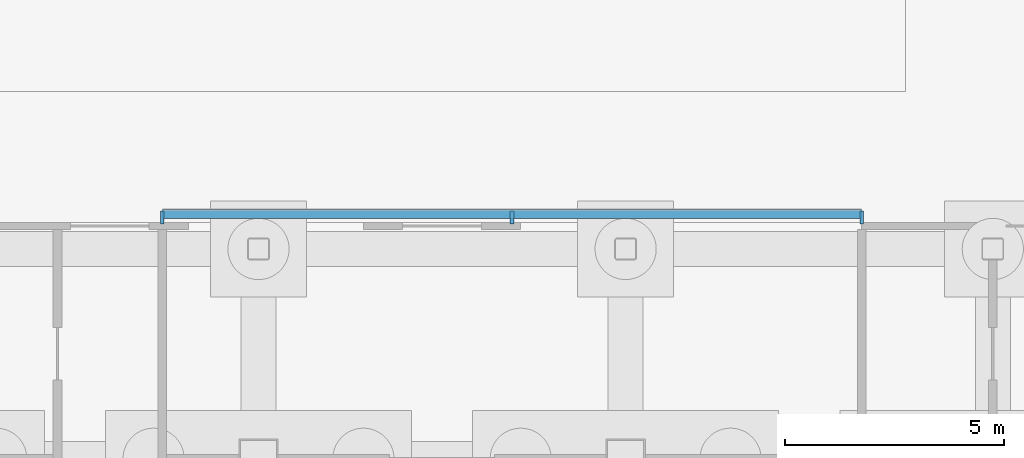
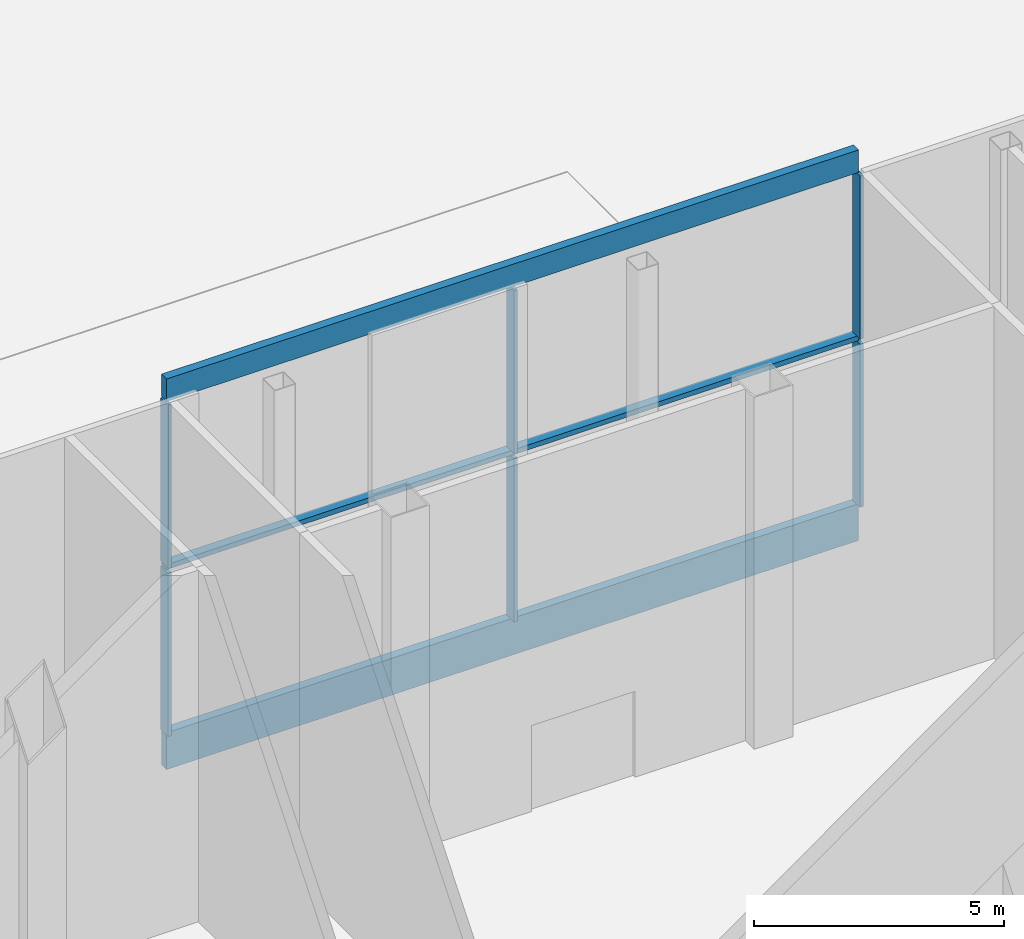
# One storey, part 22 of 113: 9 members, 1 element without a shape of its own.
"""IFC4 building model written with IfcOpenShell, lengths in metres."""

import ifcopenshell
import ifcopenshell.guid

model = None  # the IFC model being written
_history = None  # IfcOwnerHistory: only IFC2X3 demands one
_inside = {}  # id of a spatial element -> (the spatial element, [elements in it])
_under = {}  # id of a project, library or spatial element -> (it, [spatial elements below it])
_declared = {}  # id of a project -> (the project, [libraries it declares])
_typed = {}  # id of a type object -> (the type object, [elements of that type])
_made_of = {}  # id of a material, layer set ... -> (it, [elements and type objects made of it])


def new_model(schema):
    """Start an empty IFC model of exactly this schema.

    Asked for "IFC4X3", IfcOpenShell would pick the latest addendum, in which some entities
    have other attributes; the version numbers below select the first issue.
    IFC2X3 requires an IfcOwnerHistory on every rooted entity: one is made here for all.
    """
    global model, _history
    if schema == "IFC4X3":
        model = ifcopenshell.file(schema_version=(4, 3, 0, 0))
    else:
        model = ifcopenshell.file(schema=schema)
    _inside.clear()
    _under.clear()
    _declared.clear()
    _typed.clear()
    _made_of.clear()
    _history = None
    if model.schema == "IFC2X3":
        org = make("IfcOrganization", Name="unknown")
        user = make(
            "IfcPersonAndOrganization",
            ThePerson=make("IfcPerson", FamilyName="unknown"),
            TheOrganization=org,
        )
        app = make(
            "IfcApplication",
            ApplicationDeveloper=org,
            Version="unknown",
            ApplicationFullName="unknown",
            ApplicationIdentifier="unknown",
        )
        _history = make(
            "IfcOwnerHistory",
            OwningUser=user,
            OwningApplication=app,
            ChangeAction="ADDED",
            CreationDate=0,
        )
    return model


def make(cls, **values):
    """One entity of the class cls with the attributes given. An attribute that is None is left unset."""
    return model.create_entity(
        cls, **{name: value for name, value in values.items() if value is not None}
    )


def rooted(cls, **values):
    """An entity with a GlobalId (a new one), such as an element, a storey or a relation."""
    return make(cls, GlobalId=ifcopenshell.guid.new(), OwnerHistory=_history, **values)


def si_unit(unit_type, name, prefix=None):
    """IfcSIUnit, for example si_unit("LENGTHUNIT", "METRE", prefix="MILLI")."""
    return make("IfcSIUnit", UnitType=unit_type, Prefix=prefix, Name=name)


def assignment(units):
    """IfcUnitAssignment: the units of a project."""
    return None if units is None else make("IfcUnitAssignment", Units=units)


def point(xyz):
    """IfcCartesianPoint."""
    return None if xyz is None else make("IfcCartesianPoint", Coordinates=xyz)


def direction(xyz):
    """IfcDirection."""
    return None if xyz is None else make("IfcDirection", DirectionRatios=xyz)


def frame(location, z_axis=None, x_axis=None):
    """IfcAxis2Placement3D, a coordinate frame: its origin and axes. An axis left out is left unset."""
    return make(
        "IfcAxis2Placement3D",
        Location=point(location),
        Axis=direction(z_axis),
        RefDirection=direction(x_axis),
    )


def frame_2d(location, x_axis=None):
    """IfcAxis2Placement2D, a coordinate frame in the plane: its origin and x axis."""
    return make(
        "IfcAxis2Placement2D", Location=point(location), RefDirection=direction(x_axis)
    )


def origin():
    """The frame at (0, 0, 0) with its axes left unset."""
    return frame((0.0, 0.0, 0.0))


def origin_2d():
    """The frame at (0, 0) in the plane with its x axis left unset."""
    return frame_2d((0.0, 0.0))


def place(relative_to, where):
    """IfcLocalPlacement: puts the frame where relative to a parent placement (None: the world)."""
    return make(
        "IfcLocalPlacement", PlacementRelTo=relative_to, RelativePlacement=where
    )


def context(
    kind, dimensions, precision=None, world=None, true_north=None, identifier=None
):
    """IfcGeometricRepresentationContext, for example the 3D "Model" context."""
    return make(
        "IfcGeometricRepresentationContext",
        ContextIdentifier=identifier,
        ContextType=kind,
        CoordinateSpaceDimension=dimensions,
        Precision=precision,
        WorldCoordinateSystem=world,
        TrueNorth=true_north,
    )


def subcontext(parent, identifier, kind, view, scale=None):
    """IfcGeometricRepresentationSubContext, for example "Body" below "Model"."""
    return make(
        "IfcGeometricRepresentationSubContext",
        ContextIdentifier=identifier,
        ContextType=kind,
        ParentContext=parent,
        TargetScale=scale,
        TargetView=view,
    )


def project(units=None, contexts=None):
    """IfcProject with its units and contexts."""
    return rooted(
        "IfcProject",
        Name="project",
        RepresentationContexts=contexts,
        UnitsInContext=assignment(units),
    )


def spatial(cls, under=None, at=None, **own):
    """A site, building, storey or space (cls), placed at a placement, below another one or the project."""
    s = rooted(cls, ObjectPlacement=at, **own)
    if under is not None:
        _under.setdefault(under.id(), (under, []))[1].append(s)
    return s


def profile(cls, at=None, kind="AREA", **sizes):
    """A parametric profile (cls). Its sizes go by their IFC names, for example OverallWidth=200.0."""
    return make(cls, ProfileType=kind, Position=at, **sizes)


def rectangle(**sizes):
    """IfcRectangleProfileDef."""
    return profile("IfcRectangleProfileDef", **sizes)


def extrude(swept, where, along, depth):
    """IfcExtrudedAreaSolid: the profile swept, set in the frame where, extruded along a direction by depth."""
    return make(
        "IfcExtrudedAreaSolid",
        SweptArea=swept,
        Position=where,
        ExtrudedDirection=direction(along),
        Depth=depth,
    )


def shape(context_of_items, identifier, shape_type, items):
    """IfcShapeRepresentation: the items that make up one representation, for example the "Body"."""
    return make(
        "IfcShapeRepresentation",
        ContextOfItems=context_of_items,
        RepresentationIdentifier=identifier,
        RepresentationType=shape_type,
        Items=items,
    )


def material(Name=None, Category=None):
    """IfcMaterial."""
    return make("IfcMaterial", Name=Name, Category=Category)


def layer(
    of_material, thickness, ventilated=None, Name=None, Category=None, Priority=None
):
    """IfcMaterialLayer: one layer of a wall or slab, of a material (None: an air gap)."""
    return make(
        "IfcMaterialLayer",
        Material=of_material,
        LayerThickness=thickness,
        IsVentilated=ventilated,
        Name=Name,
        Category=Category,
        Priority=Priority,
    )


def layer_set(layers, Name=None):
    """IfcMaterialLayerSet."""
    return make("IfcMaterialLayerSet", MaterialLayers=layers, LayerSetName=Name)


def material_profile(
    of_material, cross_section, Name=None, Category=None, Priority=None
):
    """IfcMaterialProfile: a cross section and its material."""
    return make(
        "IfcMaterialProfile",
        Name=Name,
        Material=of_material,
        Profile=cross_section,
        Priority=Priority,
        Category=Category,
    )


def profile_set(profiles, Name=None, composite=None):
    """IfcMaterialProfileSet."""
    return make(
        "IfcMaterialProfileSet",
        Name=Name,
        MaterialProfiles=profiles,
        CompositeProfile=composite,
    )


def made_of(thing, what):
    """Note that an element or type object is made of a material, layer set ...; save() writes the relation."""
    if what is not None:
        _made_of.setdefault(what.id(), (what, []))[1].append(thing)
    return thing


def type_object(cls, material=None, **own):
    """A type object (cls), such as IfcWallType, which elements share."""
    return made_of(rooted(cls, **own), material)


def element(
    cls,
    number,
    at=None,
    inside=None,
    cuts=None,
    type_object=None,
    material=None,
    context=None,
    identifier="Body",
    shape_type=None,
    held_by="IfcProductDefinitionShape",
    body=None,
    shapes=None,
    **own,
):
    """One element of the class cls, such as IfcWall. Its Tag is "e" and its number.

    at: its placement. inside: the storey or other place that contains it. cuts: it is an
    opening in that element (IfcRelVoidsElement). A single representation is given by context,
    identifier, shape_type and body (its items); several are given by shapes. held_by: the class
    of the entity that holds the representations. save() writes the other relations.
    """
    e = rooted(cls, Tag="e%d" % number, ObjectPlacement=at, **own)
    if body is not None:
        shapes = [shape(context, identifier, shape_type, body)]
    if shapes is not None:
        e.Representation = make(held_by, Representations=shapes)
    if inside is not None:
        _inside.setdefault(inside.id(), (inside, []))[1].append(e)
    if cuts is not None:
        rooted(
            "IfcRelVoidsElement", RelatingBuildingElement=cuts, RelatedOpeningElement=e
        )
    if type_object is not None:
        _typed.setdefault(type_object.id(), (type_object, []))[1].append(e)
    return made_of(e, material)


def aggregate(whole, parts):
    """IfcRelAggregates: a whole, such as a stair, and the parts it consists of."""
    return rooted("IfcRelAggregates", RelatingObject=whole, RelatedObjects=parts)


def save(model, path):
    """Write the relations noted so far, then the file.

    IfcRelAggregates (storeys below a building ...), IfcRelContainedInSpatialStructure (elements
    in a storey), IfcRelDefinesByType, IfcRelAssociatesMaterial and IfcRelDeclares: one each for
    every whole, place, type object, material and project.
    """
    for whole, parts in _under.values():
        aggregate(whole, parts)
    for where, things in _inside.values():
        rooted(
            "IfcRelContainedInSpatialStructure",
            RelatedElements=things,
            RelatingStructure=where,
        )
    for kind, things in _typed.values():
        rooted("IfcRelDefinesByType", RelatedObjects=things, RelatingType=kind)
    for what, things in _made_of.values():
        rooted("IfcRelAssociatesMaterial", RelatedObjects=things, RelatingMaterial=what)
    for by, libraries in _declared.values():
        rooted("IfcRelDeclares", RelatingContext=by, RelatedDefinitions=libraries)
    model.write(path)


model = new_model("IFC4")

# Units and contexts
model_context = context("Model", 3, precision=1e-05, world=origin(), true_north=direction((0.0, 1.0)))
body_context = subcontext(model_context, "Body", "Model", "MODEL_VIEW")
ifc_project = project(units=[si_unit("LENGTHUNIT", "METRE"), si_unit("AREAUNIT", "SQUARE_METRE"), si_unit("VOLUMEUNIT", "CUBIC_METRE"), si_unit("PLANEANGLEUNIT", "RADIAN"), si_unit("MASSUNIT", "GRAM", prefix="KILO")], contexts=[model_context])

# Site, building, storey
site_placement = place(None, origin())
site = spatial("IfcSite", under=ifc_project, at=site_placement, CompositionType="ELEMENT")
building_placement = place(site_placement, origin())
building = spatial("IfcBuilding", under=site, at=building_placement, Name="Hakoniwa Tower and Hamabe Station Hall", CompositionType="ELEMENT")
storey_placement = place(building_placement, origin())
storey = spatial("IfcBuildingStorey", under=building, at=storey_placement, Name="L01", CompositionType="ELEMENT", Elevation=0.0)

# Curtain wall, members
ifc_material_1 = material(Name="Dark low-e laminated glass", Category="glass")
ifc_layer = layer(ifc_material_1, 0.199951171875)
ifc_layer_set = layer_set([ifc_layer], Name="CW-3 PODIUM LOBBY")
curtain_wall_type = type_object("IfcCurtainWallType", Name="CW-3 PODIUM LOBBY", PredefinedType="NOTDEFINED", material=ifc_layer_set)
curtain_wall_placement = place(storey_placement, origin())
curtain_wall = element("IfcCurtainWall", 1, at=curtain_wall_placement, inside=storey, type_object=curtain_wall_type, Name="Podium curtain wall L01 north 3", PredefinedType="NOTDEFINED")
ifc_material_2 = material(Name="Aluminium 6063-T5 black anodised", Category="aluminium")
ifc_material_profile_1 = material_profile(ifc_material_2, rectangle(XDim=0.199951171875, YDim=0.550048828125, at=origin_2d()), Name="CW HEAD BAND 550X200")
ifc_profile_set_1 = profile_set([ifc_material_profile_1], Name="Aluminium 6063-T5 black anodised")
member_type_1 = type_object("IfcMemberType", Name="CW HEAD BAND 550X200", PredefinedType="USERDEFINED", material=ifc_profile_set_1)
member_1_placement = place(storey_placement, frame((39.0, 25.199951171875, 8.72509765625), z_axis=(-1.0, 0.0, 0.0), x_axis=(0.0, -1.0, 0.0)))
member_1 = element("IfcMember", 2, at=member_1_placement, type_object=member_type_1, Name="CW-3 transom", ObjectType="TRANSOM", PredefinedType="USERDEFINED", context=body_context, shape_type="SweptSolid", body=[
    extrude(rectangle(XDim=0.199951171875, YDim=0.550048828125, at=origin_2d()), origin(), (0.0, 0.0, 1.0), 16.0),
])
ifc_material_3 = material(Name="Aluminium 6063-T5 black anodised", Category="aluminium")
ifc_material_profile_2 = material_profile(ifc_material_3, rectangle(XDim=0.199951171875, YDim=0.1201171875, at=origin_2d()), Name="CW MID TRANSOM 120X200")
ifc_profile_set_2 = profile_set([ifc_material_profile_2], Name="Aluminium 6063-T5 black anodised")
member_type_2 = type_object("IfcMemberType", Name="CW MID TRANSOM 120X200", PredefinedType="USERDEFINED", material=ifc_profile_set_2)
member_2_placement = place(storey_placement, frame((39.0, 25.199951171875, 4.39990234375), z_axis=(-1.0, 0.0, 0.0), x_axis=(0.0, -1.0, 0.0)))
member_2 = element("IfcMember", 3, at=member_2_placement, type_object=member_type_2, Name="CW-3 transom", ObjectType="TRANSOM", PredefinedType="USERDEFINED", context=body_context, shape_type="SweptSolid", body=[
    extrude(rectangle(XDim=0.199951171875, YDim=0.1201171875, at=origin_2d()), origin(), (0.0, 0.0, 1.0), 16.0),
])
ifc_material_4 = material(Name="Aluminium 6063-T5 black anodised", Category="aluminium")
ifc_material_profile_3 = material_profile(ifc_material_4, rectangle(XDim=0.199951171875, YDim=0.89990234375, at=origin_2d()), Name="CW SLAB-EDGE BAND 900X200")
ifc_profile_set_3 = profile_set([ifc_material_profile_3], Name="Aluminium 6063-T5 black anodised")
member_type_3 = type_object("IfcMemberType", Name="CW SLAB-EDGE BAND 900X200", PredefinedType="USERDEFINED", material=ifc_profile_set_3)
member_3_placement = place(storey_placement, frame((39.0, 25.199951171875, -0.10009765625), z_axis=(-1.0, 0.0, 0.0), x_axis=(0.0, -1.0, 0.0)))
member_3 = element("IfcMember", 4, at=member_3_placement, type_object=member_type_3, Name="CW-3 transom", ObjectType="TRANSOM", PredefinedType="USERDEFINED", context=body_context, shape_type="SweptSolid", body=[
    extrude(rectangle(XDim=0.199951171875, YDim=0.89990234375, at=origin_2d()), origin(), (0.0, 0.0, 1.0), 16.0),
])
ifc_material_5 = material(Name="Aluminium 6063-T5 black anodised", Category="aluminium")
ifc_material_profile_4 = material_profile(ifc_material_5, rectangle(XDim=0.080078125, YDim=0.300048828125, at=origin_2d()), Name="CW-3 MULLION 80X300")
ifc_profile_set_4 = profile_set([ifc_material_profile_4], Name="Aluminium 6063-T5 black anodised")
member_type_4 = type_object("IfcMemberType", Name="CW-3 MULLION 80X300", PredefinedType="MULLION", material=ifc_profile_set_4)
member_4_placement = place(storey_placement, frame((39.0, 25.1220703125, 0.35009765625), z_axis=(0.0, 0.0, 1.0), x_axis=(-1.0, 0.0, 0.0)))
member_4 = element("IfcMember", 5, at=member_4_placement, type_object=member_type_4, Name="CW-3 mullion", PredefinedType="MULLION", context=body_context, shape_type="SweptSolid", body=[
    extrude(rectangle(XDim=0.080078125, YDim=0.300048828125, at=origin_2d()), origin(), (0.0, 0.0, 1.0), 3.989990234375),
])
member_5_placement = place(storey_placement, frame((39.0, 25.1220703125, 4.4599609375), z_axis=(0.0, 0.0, 1.0), x_axis=(-1.0, 0.0, 0.0)))
member_5 = element("IfcMember", 6, at=member_5_placement, type_object=member_type_4, Name="CW-3 mullion", PredefinedType="MULLION", context=body_context, shape_type="SweptSolid", body=[
    extrude(rectangle(XDim=0.080078125, YDim=0.300048828125, at=origin_2d()), origin(), (0.0, 0.0, 1.0), 3.989990234375),
])
member_6_placement = place(storey_placement, frame((31.0, 25.1220703125, 0.35009765625), z_axis=(0.0, 0.0, 1.0), x_axis=(-1.0, 0.0, 0.0)))
member_6 = element("IfcMember", 7, at=member_6_placement, type_object=member_type_4, Name="CW-3 mullion", PredefinedType="MULLION", context=body_context, shape_type="SweptSolid", body=[
    extrude(rectangle(XDim=0.080078125, YDim=0.300048828125, at=origin_2d()), origin(), (0.0, 0.0, 1.0), 3.989990234375),
])
member_7_placement = place(storey_placement, frame((31.0, 25.1220703125, 4.4599609375), z_axis=(0.0, 0.0, 1.0), x_axis=(-1.0, 0.0, 0.0)))
member_7 = element("IfcMember", 8, at=member_7_placement, type_object=member_type_4, Name="CW-3 mullion", PredefinedType="MULLION", context=body_context, shape_type="SweptSolid", body=[
    extrude(rectangle(XDim=0.080078125, YDim=0.300048828125, at=origin_2d()), origin(), (0.0, 0.0, 1.0), 3.989990234375),
])
member_8_placement = place(storey_placement, frame((23.0, 25.1220703125, 0.35009765625), z_axis=(0.0, 0.0, 1.0), x_axis=(-1.0, 0.0, 0.0)))
member_8 = element("IfcMember", 9, at=member_8_placement, type_object=member_type_4, Name="CW-3 mullion", PredefinedType="MULLION", context=body_context, shape_type="SweptSolid", body=[
    extrude(rectangle(XDim=0.080078125, YDim=0.300048828125, at=origin_2d()), origin(), (0.0, 0.0, 1.0), 3.989990234375),
])
member_9_placement = place(storey_placement, frame((23.0, 25.1220703125, 4.4599609375), z_axis=(0.0, 0.0, 1.0), x_axis=(-1.0, 0.0, 0.0)))
member_9 = element("IfcMember", 10, at=member_9_placement, type_object=member_type_4, Name="CW-3 mullion", PredefinedType="MULLION", context=body_context, shape_type="SweptSolid", body=[
    extrude(rectangle(XDim=0.080078125, YDim=0.300048828125, at=origin_2d()), origin(), (0.0, 0.0, 1.0), 3.989990234375),
])
aggregate(curtain_wall, [member_4, member_5, member_6, member_7, member_8, member_9, member_3, member_2, member_1])

save(model, "model.ifc")
